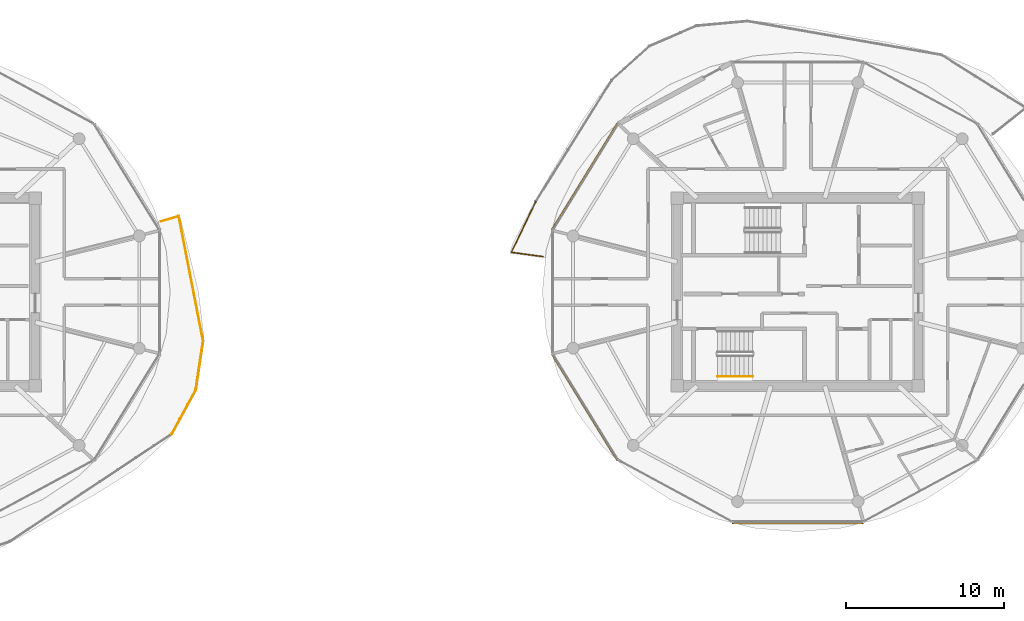
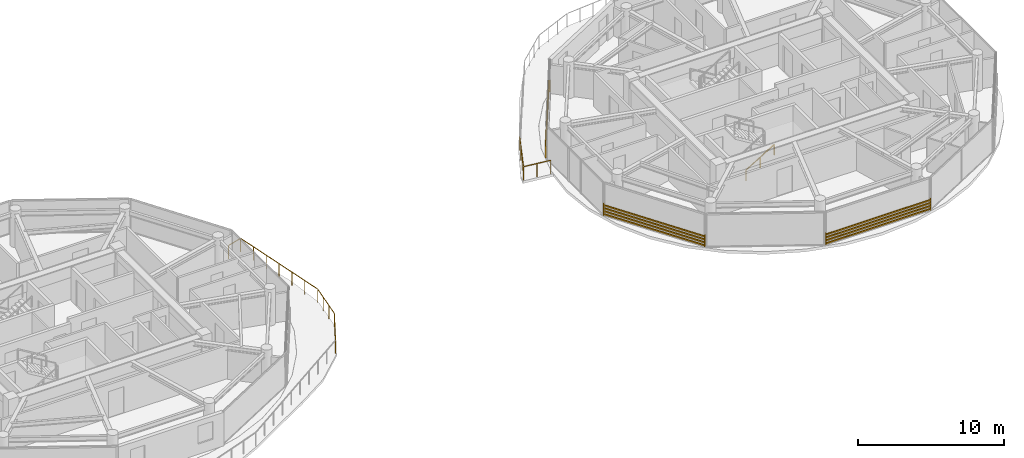
# One storey, part 17 of 19: 3 railings, 3 shading devices.
"""IFC4 building model written with IfcOpenShell, lengths in metres."""

from ifc_helpers import new_model, si_unit, direction, frame, origin, origin_2d, place, context, subcontext, project, spatial, rectangle, extrude, source, transform, mapped, material, type_object, type_shapes, element, save


model = new_model("IFC4")

# Units and contexts
model_context = context("Model", 3, precision=1e-05, world=origin(), true_north=direction((0.0, 1.0)))
body_context = subcontext(model_context, "Body", "Model", "MODEL_VIEW")
ifc_project = project(units=[si_unit("LENGTHUNIT", "METRE"), si_unit("AREAUNIT", "SQUARE_METRE"), si_unit("VOLUMEUNIT", "CUBIC_METRE"), si_unit("PLANEANGLEUNIT", "RADIAN"), si_unit("MASSUNIT", "GRAM", prefix="KILO")], contexts=[model_context])

# Site, building, storey
site_placement = place(None, origin())
site = spatial("IfcSite", under=ifc_project, at=site_placement, CompositionType="ELEMENT")
building_placement = place(site_placement, origin())
building = spatial("IfcBuilding", under=site, at=building_placement, Name="Norrkilde Senior Care Towers", CompositionType="ELEMENT")
storey_placement = place(building_placement, frame((0.0, 0.0, 238.300048828125)))
storey = spatial("IfcBuildingStorey", under=building, at=storey_placement, Name="L74", CompositionType="ELEMENT", Elevation=238.300048828125)

# Railings
ifc_material_1 = material(Name="Anodised Aluminium", Category="aluminium")
railing_type_1 = type_object("IfcRailingType", Name="Balcony Swirl Ribbon Guardrail 1150", PredefinedType="GUARDRAIL", material=ifc_material_1)
railing_1_placement = place(storey_placement, frame((11.8291015625, 2.2509765625, 0.0)))
element("IfcRailing", 1, at=railing_1_placement, inside=storey, type_object=railing_type_1, Name="L74 Perimeter Safety Guard 02", PredefinedType="GUARDRAIL", context=body_context, shape_type="SweptSolid", body=[
    extrude(rectangle(XDim=0.048095703125, YDim=0.048095703125, at=origin_2d()), frame((0.0, 0.0, 1.1259765625), z_axis=(-0.991104223329, 0.13308801035, 0.0), x_axis=(-0.13308801035, -0.991104223329, 0.0)), (0.0, 0.0, 1.0), 1.966064453125),
    extrude(rectangle(XDim=0.048095703125, YDim=0.048095703125, at=origin_2d()), frame((-1.97119140625, 0.303955078125, 1.1259765625), z_axis=(0.433920730723, 0.900951052748, 0.0), x_axis=(-0.900951052748, 0.433920730723, 0.0)), (0.0, 0.0, 1.0), 3.5205078125),
    extrude(rectangle(XDim=0.0419921875, YDim=0.0419921875, at=origin_2d()), origin(), (0.0, 0.0, 1.0), 1.099853515625),
    extrude(rectangle(XDim=0.0419921875, YDim=0.0419921875, at=origin_2d()), frame((-0.99462890625, 0.133544921875, 0.0)), (0.0, 0.0, 1.0), 1.099853515625),
    extrude(rectangle(XDim=0.0419921875, YDim=0.0419921875, at=origin_2d()), frame((-1.989013671875, 0.26708984375, 0.0)), (0.0, 0.0, 1.0), 1.099853515625),
    extrude(rectangle(XDim=0.0419921875, YDim=0.0419921875, at=origin_2d()), frame((-1.473876953125, 1.336669921875, 0.0)), (0.0, 0.0, 1.0), 1.099853515625),
    extrude(rectangle(XDim=0.0419921875, YDim=0.0419921875, at=origin_2d()), frame((-0.958740234375, 2.40625, 0.0)), (0.0, 0.0, 1.0), 1.099853515625),
    extrude(rectangle(XDim=0.0419921875, YDim=0.0419921875, at=origin_2d()), frame((-0.443603515625, 3.475830078125, 0.0)), (0.0, 0.0, 1.0), 1.099853515625),
])
railing_2_placement = place(storey_placement, frame((-12.38330078125, 4.47607421875, 0.0)))
element("IfcRailing", 2, at=railing_2_placement, inside=storey, type_object=railing_type_1, Name="L74 Perimeter Safety Guard 04", PredefinedType="GUARDRAIL", context=body_context, shape_type="SweptSolid", body=[
    extrude(rectangle(XDim=0.048095703125, YDim=0.048095703125, at=origin_2d()), frame((0.0, 0.0, 1.1259765625), z_axis=(0.959912170566, 0.280300953975, 0.0), x_axis=(-0.280300953975, 0.959912170566, 0.0)), (0.0, 0.0, 1.0), 1.142822265625),
    extrude(rectangle(XDim=0.048095703125, YDim=0.048095703125, at=origin_2d()), frame((1.14404296875, 0.291748046875, 1.1259765625), z_axis=(0.191600137702, -0.98147307005, 0.0), x_axis=(0.98147307005, 0.191600137702, 0.0)), (0.0, 0.0, 1.0), 7.96875),
    extrude(rectangle(XDim=0.048095703125, YDim=0.048095703125, at=origin_2d()), frame((2.672607421875, -7.610107421875, 1.1259765625), z_axis=(-0.148124740924, -0.988968685615, 0.0), x_axis=(0.988968685615, -0.148124740924, 0.0)), (0.0, 0.0, 1.0), 3.072998046875),
    extrude(rectangle(XDim=0.048095703125, YDim=0.048095703125, at=origin_2d()), frame((2.19189453125, -10.725341796875, 1.1259765625), z_axis=(-0.479570321487, -0.877503451132, 0.0), x_axis=(0.877503451132, -0.479570321487, 0.0)), (0.0, 0.0, 1.0), 3.126220703125),
    extrude(rectangle(XDim=0.0419921875, YDim=0.0419921875, at=origin_2d()), origin(), (0.0, 0.0, 1.0), 1.099853515625),
    extrude(rectangle(XDim=0.0419921875, YDim=0.0419921875, at=origin_2d()), frame((1.13623046875, 0.331787109375, 0.0)), (0.0, 0.0, 1.0), 1.099853515625),
    extrude(rectangle(XDim=0.0419921875, YDim=0.0419921875, at=origin_2d()), frame((1.393310546875, -0.985107421875, 0.0)), (0.0, 0.0, 1.0), 1.099853515625),
    extrude(rectangle(XDim=0.0419921875, YDim=0.0419921875, at=origin_2d()), frame((1.650390625, -2.302001953125, 0.0)), (0.0, 0.0, 1.0), 1.099853515625),
    extrude(rectangle(XDim=0.0419921875, YDim=0.0419921875, at=origin_2d()), frame((1.907470703125, -3.618896484375, 0.0)), (0.0, 0.0, 1.0), 1.099853515625),
    extrude(rectangle(XDim=0.0419921875, YDim=0.0419921875, at=origin_2d()), frame((2.16455078125, -4.935791015625, 0.0)), (0.0, 0.0, 1.0), 1.099853515625),
    extrude(rectangle(XDim=0.0419921875, YDim=0.0419921875, at=origin_2d()), frame((2.421630859375, -6.252685546875, 0.0)), (0.0, 0.0, 1.0), 1.099853515625),
    extrude(rectangle(XDim=0.0419921875, YDim=0.0419921875, at=origin_2d()), frame((2.6787109375, -7.569580078125, 0.0)), (0.0, 0.0, 1.0), 1.099853515625),
    extrude(rectangle(XDim=0.0419921875, YDim=0.0419921875, at=origin_2d()), frame((2.52294921875, -8.609619140625, 0.0)), (0.0, 0.0, 1.0), 1.099853515625),
    extrude(rectangle(XDim=0.0419921875, YDim=0.0419921875, at=origin_2d()), frame((2.3671875, -9.6494140625, 0.0)), (0.0, 0.0, 1.0), 1.099853515625),
    extrude(rectangle(XDim=0.0419921875, YDim=0.0419921875, at=origin_2d()), frame((2.21142578125, -10.689453125, 0.0)), (0.0, 0.0, 1.0), 1.099853515625),
    extrude(rectangle(XDim=0.0419921875, YDim=0.0419921875, at=origin_2d()), frame((1.705078125, -11.61572265625, 0.0)), (0.0, 0.0, 1.0), 1.099853515625),
    extrude(rectangle(XDim=0.0419921875, YDim=0.0419921875, at=origin_2d()), frame((1.198974609375, -12.542236328125, 0.0)), (0.0, 0.0, 1.0), 1.099853515625),
    extrude(rectangle(XDim=0.0419921875, YDim=0.0419921875, at=origin_2d()), frame((0.692626953125, -13.468505859375, 0.0)), (0.0, 0.0, 1.0), 1.099853515625),
])
ifc_material_2 = material(Name="Nordic Ash Timber", Category="wood")
railing_type_2 = type_object("IfcRailingType", Name="Wall and Stair Handrail 900", PredefinedType="HANDRAIL", material=ifc_material_2)
railing_3_placement = place(storey_placement, frame((22.89990234375, -5.35009765625, 0.16943359375)))
element("IfcRailing", 3, at=railing_3_placement, inside=storey, type_object=railing_type_2, Name="L74 ST-E2 stair handrail 1", PredefinedType="HANDRAIL", context=body_context, shape_type="SweptSolid", body=[
    extrude(rectangle(XDim=0.048095703125, YDim=0.048095703125, at=origin_2d()), frame((0.0, 0.0, 0.8759765625), z_axis=(0.855553338991, 0.0, 0.51771467445), x_axis=(0.0, 1.0, 0.0)), (0.0, 0.0, 1.0), 2.6181640625),
    extrude(rectangle(XDim=0.0419921875, YDim=0.0419921875, at=origin_2d()), origin(), (0.0, 0.0, 1.0), 0.849853515625),
    extrude(rectangle(XDim=0.0419921875, YDim=0.0419921875, at=origin_2d()), frame((1.1201171875, 0.0, 0.677734375)), (0.0, 0.0, 1.0), 0.849853515625),
    extrude(rectangle(XDim=0.0419921875, YDim=0.0419921875, at=origin_2d()), frame((2.239990234375, 0.0, 1.35546875)), (0.0, 0.0, 1.0), 0.849853515625),
])

# Shading devices
ifc_material_3 = material(Name="Architectural Terracotta", Category="masonry")
shading_device_type = type_object("IfcShadingDeviceType", Name="Horizontal Terracotta Baguette Rack", PredefinedType="USERDEFINED", material=ifc_material_3)
shared_shape_1 = source(origin(), body_context, "Body", "SweptSolid", [
    extrude(rectangle(XDim=0.070068359375, YDim=0.110107421875, at=origin_2d()), frame((0.0, 0.090087890625, 0.125), z_axis=(1.0, 0.0, 0.0), x_axis=(0.0, 1.0, 0.0)), (0.0, 0.0, 1.0), 7.938232421875),
    extrude(rectangle(XDim=0.070068359375, YDim=0.110107421875, at=origin_2d()), frame((0.0, 0.090087890625, 0.375), z_axis=(1.0, 0.0, 0.0), x_axis=(0.0, 1.0, 0.0)), (0.0, 0.0, 1.0), 7.938232421875),
    extrude(rectangle(XDim=0.070068359375, YDim=0.110107421875, at=origin_2d()), frame((0.0, 0.090087890625, 0.625), z_axis=(1.0, 0.0, 0.0), x_axis=(0.0, 1.0, 0.0)), (0.0, 0.0, 1.0), 7.938232421875),
    extrude(rectangle(XDim=0.070068359375, YDim=0.110107421875, at=origin_2d()), frame((0.0, 0.090087890625, 0.875), z_axis=(1.0, 0.0, 0.0), x_axis=(0.0, 1.0, 0.0)), (0.0, 0.0, 1.0), 7.938232421875),
    extrude(rectangle(XDim=0.050048828125, YDim=0.1552734375, at=origin_2d()), frame((0.02490234375, 0.047607421875, 0.0)), (0.0, 0.0, 1.0), 1.0),
    extrude(rectangle(XDim=0.050048828125, YDim=0.1552734375, at=origin_2d()), frame((7.9130859375, 0.047607421875, 0.0)), (0.0, 0.0, 1.0), 1.0),
])
for number, where, z_axis, x_axis, name in (
    (4, (12.468017578125, 3.903076171875, 0.079833984375), (0.0, 0.0, 1.0), (0.524250345994, 0.851576195602, 0.0), "L74 Drum E Terracotta Baguette Screen 04"),
    (5, (16.629638671875, -10.6630859375, 0.079833984375), (0.0, 0.0, 1.0), (-0.524250345994, 0.851576195602, 0.0), "L74 Drum E Terracotta Baguette Screen 06"),
):
    element("IfcShadingDevice", number, at=place(storey_placement, frame(where, z_axis=z_axis, x_axis=x_axis)), inside=storey, type_object=shading_device_type, Name=name, ObjectType="BAGUETTE", PredefinedType="USERDEFINED", context=body_context, shape_type="MappedRepresentation", body=[
        mapped(shared_shape_1, transform((0.0, 0.0, 0.0), x_axis=(1.0, 0.0, 0.0), y_axis=(0.0, 1.0, 0.0), z_axis=(0.0, 0.0, 1.0), scale=1.0)),
    ])
shared_shape_2 = source(origin(), body_context, "Body", "SweptSolid", [
    extrude(rectangle(XDim=0.070068359375, YDim=0.110107421875, at=origin_2d()), frame((0.0, 0.090087890625, 0.125), z_axis=(1.0, 0.0, 0.0), x_axis=(0.0, 1.0, 0.0)), (0.0, 0.0, 1.0), 8.32373046875),
    extrude(rectangle(XDim=0.070068359375, YDim=0.110107421875, at=origin_2d()), frame((0.0, 0.090087890625, 0.375), z_axis=(1.0, 0.0, 0.0), x_axis=(0.0, 1.0, 0.0)), (0.0, 0.0, 1.0), 8.32373046875),
    extrude(rectangle(XDim=0.070068359375, YDim=0.110107421875, at=origin_2d()), frame((0.0, 0.090087890625, 0.625), z_axis=(1.0, 0.0, 0.0), x_axis=(0.0, 1.0, 0.0)), (0.0, 0.0, 1.0), 8.32373046875),
    extrude(rectangle(XDim=0.070068359375, YDim=0.110107421875, at=origin_2d()), frame((0.0, 0.090087890625, 0.875), z_axis=(1.0, 0.0, 0.0), x_axis=(0.0, 1.0, 0.0)), (0.0, 0.0, 1.0), 8.32373046875),
    extrude(rectangle(XDim=0.050048828125, YDim=0.1552734375, at=origin_2d()), frame((0.02490234375, 0.047607421875, 0.0)), (0.0, 0.0, 1.0), 1.0),
    extrude(rectangle(XDim=0.050048828125, YDim=0.1552734375, at=origin_2d()), frame((8.298828125, 0.047607421875, 0.0)), (0.0, 0.0, 1.0), 1.0),
])
type_shapes(shading_device_type, [shared_shape_1, shared_shape_2])
shading_device_placement = place(storey_placement, frame((32.161865234375, -14.566162109375, 0.079833984375), z_axis=(0.0, 0.0, 1.0), x_axis=(-1.0, 0.0, 0.0)))
element("IfcShadingDevice", 6, at=shading_device_placement, inside=storey, type_object=shading_device_type, Name="L74 Drum E Terracotta Baguette Screen 08", ObjectType="BAGUETTE", PredefinedType="USERDEFINED", context=body_context, shape_type="MappedRepresentation", body=[
    mapped(shared_shape_2, transform((0.0, 0.0, 0.0), x_axis=(1.0, 0.0, 0.0), y_axis=(0.0, 1.0, 0.0), z_axis=(0.0, 0.0, 1.0), scale=1.0)),
])

save(model, "model.ifc")
